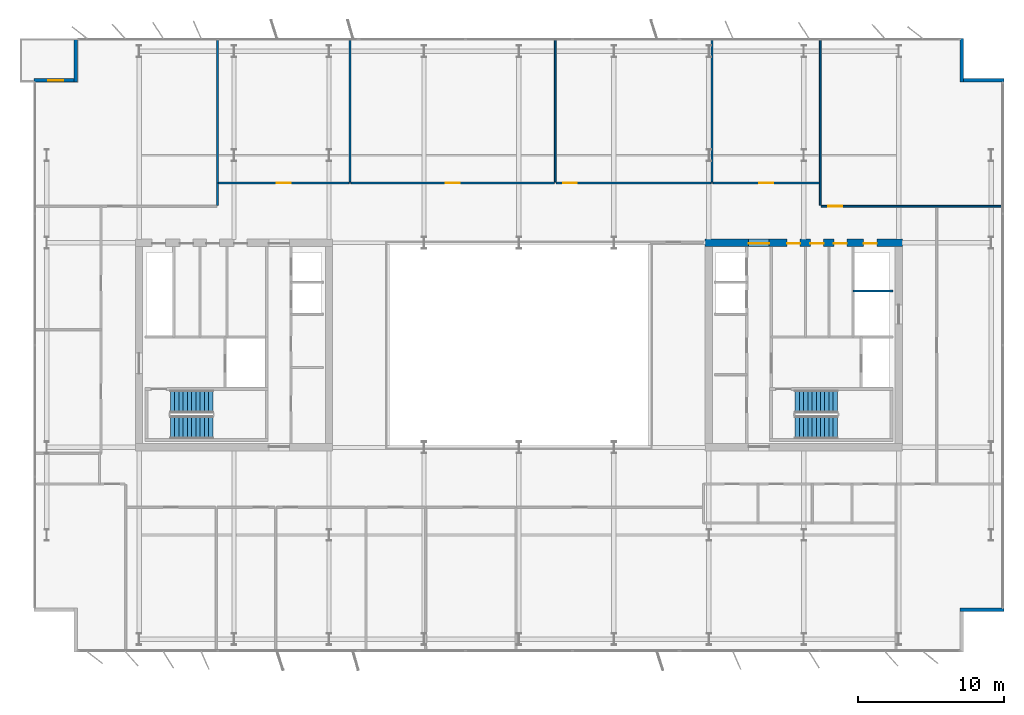
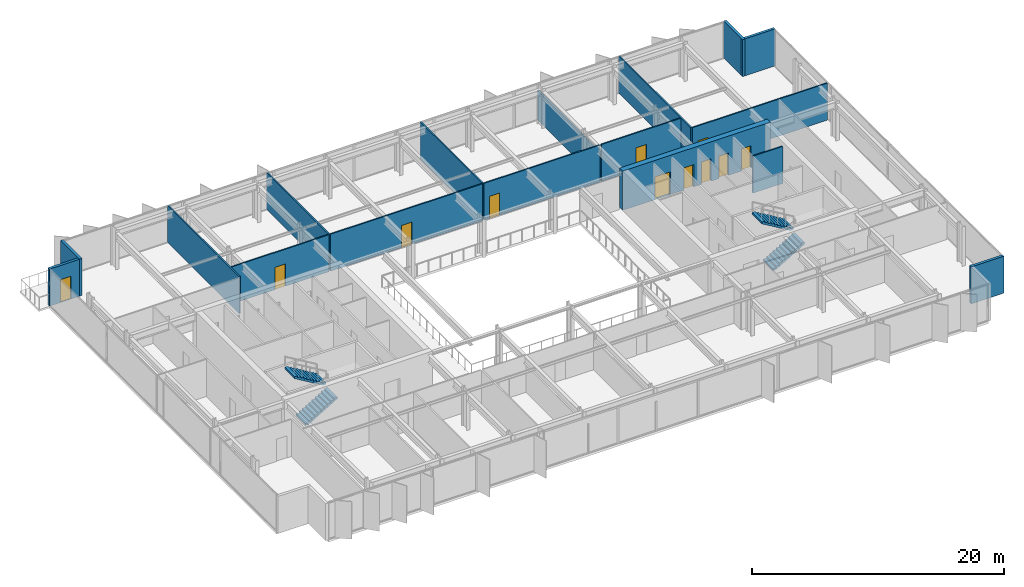
# One storey, part 19 of 23: 17 walls, 11 doors, 4 stair flights, 11 openings, 2 elements without a shape of their own.
"""IFC4 building model written with IfcOpenShell, lengths in metres."""

import ifcopenshell
import ifcopenshell.guid

model = None  # the IFC model being written
_history = None  # IfcOwnerHistory: only IFC2X3 demands one
_inside = {}  # id of a spatial element -> (the spatial element, [elements in it])
_under = {}  # id of a project, library or spatial element -> (it, [spatial elements below it])
_declared = {}  # id of a project -> (the project, [libraries it declares])
_typed = {}  # id of a type object -> (the type object, [elements of that type])
_made_of = {}  # id of a material, layer set ... -> (it, [elements and type objects made of it])


def new_model(schema):
    """Start an empty IFC model of exactly this schema.

    Asked for "IFC4X3", IfcOpenShell would pick the latest addendum, in which some entities
    have other attributes; the version numbers below select the first issue.
    IFC2X3 requires an IfcOwnerHistory on every rooted entity: one is made here for all.
    """
    global model, _history
    if schema == "IFC4X3":
        model = ifcopenshell.file(schema_version=(4, 3, 0, 0))
    else:
        model = ifcopenshell.file(schema=schema)
    _inside.clear()
    _under.clear()
    _declared.clear()
    _typed.clear()
    _made_of.clear()
    _history = None
    if model.schema == "IFC2X3":
        org = make("IfcOrganization", Name="unknown")
        user = make(
            "IfcPersonAndOrganization",
            ThePerson=make("IfcPerson", FamilyName="unknown"),
            TheOrganization=org,
        )
        app = make(
            "IfcApplication",
            ApplicationDeveloper=org,
            Version="unknown",
            ApplicationFullName="unknown",
            ApplicationIdentifier="unknown",
        )
        _history = make(
            "IfcOwnerHistory",
            OwningUser=user,
            OwningApplication=app,
            ChangeAction="ADDED",
            CreationDate=0,
        )
    return model


def make(cls, **values):
    """One entity of the class cls with the attributes given. An attribute that is None is left unset."""
    return model.create_entity(
        cls, **{name: value for name, value in values.items() if value is not None}
    )


def rooted(cls, **values):
    """An entity with a GlobalId (a new one), such as an element, a storey or a relation."""
    return make(cls, GlobalId=ifcopenshell.guid.new(), OwnerHistory=_history, **values)


def si_unit(unit_type, name, prefix=None):
    """IfcSIUnit, for example si_unit("LENGTHUNIT", "METRE", prefix="MILLI")."""
    return make("IfcSIUnit", UnitType=unit_type, Prefix=prefix, Name=name)


def assignment(units):
    """IfcUnitAssignment: the units of a project."""
    return None if units is None else make("IfcUnitAssignment", Units=units)


def point(xyz):
    """IfcCartesianPoint."""
    return None if xyz is None else make("IfcCartesianPoint", Coordinates=xyz)


def direction(xyz):
    """IfcDirection."""
    return None if xyz is None else make("IfcDirection", DirectionRatios=xyz)


def frame(location, z_axis=None, x_axis=None):
    """IfcAxis2Placement3D, a coordinate frame: its origin and axes. An axis left out is left unset."""
    return make(
        "IfcAxis2Placement3D",
        Location=point(location),
        Axis=direction(z_axis),
        RefDirection=direction(x_axis),
    )


def frame_2d(location, x_axis=None):
    """IfcAxis2Placement2D, a coordinate frame in the plane: its origin and x axis."""
    return make(
        "IfcAxis2Placement2D", Location=point(location), RefDirection=direction(x_axis)
    )


def origin():
    """The frame at (0, 0, 0) with its axes left unset."""
    return frame((0.0, 0.0, 0.0))


def place(relative_to, where):
    """IfcLocalPlacement: puts the frame where relative to a parent placement (None: the world)."""
    return make(
        "IfcLocalPlacement", PlacementRelTo=relative_to, RelativePlacement=where
    )


def context(
    kind, dimensions, precision=None, world=None, true_north=None, identifier=None
):
    """IfcGeometricRepresentationContext, for example the 3D "Model" context."""
    return make(
        "IfcGeometricRepresentationContext",
        ContextIdentifier=identifier,
        ContextType=kind,
        CoordinateSpaceDimension=dimensions,
        Precision=precision,
        WorldCoordinateSystem=world,
        TrueNorth=true_north,
    )


def subcontext(parent, identifier, kind, view, scale=None):
    """IfcGeometricRepresentationSubContext, for example "Body" below "Model"."""
    return make(
        "IfcGeometricRepresentationSubContext",
        ContextIdentifier=identifier,
        ContextType=kind,
        ParentContext=parent,
        TargetScale=scale,
        TargetView=view,
    )


def project(units=None, contexts=None):
    """IfcProject with its units and contexts."""
    return rooted(
        "IfcProject",
        Name="project",
        RepresentationContexts=contexts,
        UnitsInContext=assignment(units),
    )


def spatial(cls, under=None, at=None, **own):
    """A site, building, storey or space (cls), placed at a placement, below another one or the project."""
    s = rooted(cls, ObjectPlacement=at, **own)
    if under is not None:
        _under.setdefault(under.id(), (under, []))[1].append(s)
    return s


def polyline(points):
    """IfcPolyline through the points."""
    return make("IfcPolyline", Points=[point(p) for p in points])


def profile(cls, at=None, kind="AREA", **sizes):
    """A parametric profile (cls). Its sizes go by their IFC names, for example OverallWidth=200.0."""
    return make(cls, ProfileType=kind, Position=at, **sizes)


def rectangle(**sizes):
    """IfcRectangleProfileDef."""
    return profile("IfcRectangleProfileDef", **sizes)


def outline(outer, holes=None, kind="AREA"):
    """IfcArbitraryClosedProfileDef: a profile drawn as a closed curve; with holes, ...WithVoids."""
    if holes is None:
        return make("IfcArbitraryClosedProfileDef", ProfileType=kind, OuterCurve=outer)
    return make(
        "IfcArbitraryProfileDefWithVoids",
        ProfileType=kind,
        OuterCurve=outer,
        InnerCurves=holes,
    )


def extrude(swept, where, along, depth):
    """IfcExtrudedAreaSolid: the profile swept, set in the frame where, extruded along a direction by depth."""
    return make(
        "IfcExtrudedAreaSolid",
        SweptArea=swept,
        Position=where,
        ExtrudedDirection=direction(along),
        Depth=depth,
    )


def shape(context_of_items, identifier, shape_type, items):
    """IfcShapeRepresentation: the items that make up one representation, for example the "Body"."""
    return make(
        "IfcShapeRepresentation",
        ContextOfItems=context_of_items,
        RepresentationIdentifier=identifier,
        RepresentationType=shape_type,
        Items=items,
    )


def material(Name=None, Category=None):
    """IfcMaterial."""
    return make("IfcMaterial", Name=Name, Category=Category)


def layer(
    of_material, thickness, ventilated=None, Name=None, Category=None, Priority=None
):
    """IfcMaterialLayer: one layer of a wall or slab, of a material (None: an air gap)."""
    return make(
        "IfcMaterialLayer",
        Material=of_material,
        LayerThickness=thickness,
        IsVentilated=ventilated,
        Name=Name,
        Category=Category,
        Priority=Priority,
    )


def layer_set(layers, Name=None):
    """IfcMaterialLayerSet."""
    return make("IfcMaterialLayerSet", MaterialLayers=layers, LayerSetName=Name)


def made_of(thing, what):
    """Note that an element or type object is made of a material, layer set ...; save() writes the relation."""
    if what is not None:
        _made_of.setdefault(what.id(), (what, []))[1].append(thing)
    return thing


def type_object(cls, material=None, **own):
    """A type object (cls), such as IfcWallType, which elements share."""
    return made_of(rooted(cls, **own), material)


def element(
    cls,
    number,
    at=None,
    inside=None,
    cuts=None,
    type_object=None,
    material=None,
    context=None,
    identifier="Body",
    shape_type=None,
    held_by="IfcProductDefinitionShape",
    body=None,
    shapes=None,
    **own,
):
    """One element of the class cls, such as IfcWall. Its Tag is "e" and its number.

    at: its placement. inside: the storey or other place that contains it. cuts: it is an
    opening in that element (IfcRelVoidsElement). A single representation is given by context,
    identifier, shape_type and body (its items); several are given by shapes. held_by: the class
    of the entity that holds the representations. save() writes the other relations.
    """
    e = rooted(cls, Tag="e%d" % number, ObjectPlacement=at, **own)
    if body is not None:
        shapes = [shape(context, identifier, shape_type, body)]
    if shapes is not None:
        e.Representation = make(held_by, Representations=shapes)
    if inside is not None:
        _inside.setdefault(inside.id(), (inside, []))[1].append(e)
    if cuts is not None:
        rooted(
            "IfcRelVoidsElement", RelatingBuildingElement=cuts, RelatedOpeningElement=e
        )
    if type_object is not None:
        _typed.setdefault(type_object.id(), (type_object, []))[1].append(e)
    return made_of(e, material)


def fill(opening, filler):
    """IfcRelFillsElement: the door or window that sits in an opening."""
    return rooted(
        "IfcRelFillsElement",
        RelatingOpeningElement=opening,
        RelatedBuildingElement=filler,
    )


def aggregate(whole, parts):
    """IfcRelAggregates: a whole, such as a stair, and the parts it consists of."""
    return rooted("IfcRelAggregates", RelatingObject=whole, RelatedObjects=parts)


def save(model, path):
    """Write the relations noted so far, then the file.

    IfcRelAggregates (storeys below a building ...), IfcRelContainedInSpatialStructure (elements
    in a storey), IfcRelDefinesByType, IfcRelAssociatesMaterial and IfcRelDeclares: one each for
    every whole, place, type object, material and project.
    """
    for whole, parts in _under.values():
        aggregate(whole, parts)
    for where, things in _inside.values():
        rooted(
            "IfcRelContainedInSpatialStructure",
            RelatedElements=things,
            RelatingStructure=where,
        )
    for kind, things in _typed.values():
        rooted("IfcRelDefinesByType", RelatedObjects=things, RelatingType=kind)
    for what, things in _made_of.values():
        rooted("IfcRelAssociatesMaterial", RelatedObjects=things, RelatingMaterial=what)
    for by, libraries in _declared.values():
        rooted("IfcRelDeclares", RelatingContext=by, RelatedDefinitions=libraries)
    model.write(path)


model = new_model("IFC4")

# Units and contexts
model_context = context("Model", 3, precision=1e-05, world=origin(), true_north=direction((0.0, 1.0)))
body_context = subcontext(model_context, "Body", "Model", "MODEL_VIEW")
ifc_project = project(units=[si_unit("LENGTHUNIT", "METRE"), si_unit("AREAUNIT", "SQUARE_METRE"), si_unit("VOLUMEUNIT", "CUBIC_METRE"), si_unit("PLANEANGLEUNIT", "RADIAN"), si_unit("MASSUNIT", "GRAM", prefix="KILO")], contexts=[model_context])

# Site, building, storey
site_placement = place(None, origin())
site = spatial("IfcSite", under=ifc_project, at=site_placement, CompositionType="ELEMENT")
building_placement = place(site_placement, origin())
building = spatial("IfcBuilding", under=site, at=building_placement, Name="Putna Gate Headquarters", CompositionType="ELEMENT")
storey_placement = place(building_placement, frame((0.0, 0.0, 221.39990234375)))
storey = spatial("IfcBuildingStorey", under=building, at=storey_placement, Name="L55", CompositionType="ELEMENT", Elevation=221.39990234375)

# Wall, openings, doors
ifc_material_1 = material(Name="Concrete C50/60", Category="concrete")
ifc_layer_1 = layer(ifc_material_1, 0.5)
ifc_layer_set_1 = layer_set([ifc_layer_1], Name="Concrete C50/60")
wall_type_1 = type_object("IfcWallType", Name="WALL-CORE-500", PredefinedType="SHEAR", material=ifc_layer_set_1)
wall_1_placement = place(storey_placement, frame((51.75, 33.0, 0.0), z_axis=(0.0, 0.0, 1.0), x_axis=(1.0, 0.0, 0.0)))
wall_1 = element("IfcWall", 1, at=wall_1_placement, inside=storey, type_object=wall_type_1, Name="L55 EC Split Core Shear Wall N", PredefinedType="SHEAR", context=body_context, shape_type="SweptSolid", body=[
    extrude(rectangle(XDim=13.5, YDim=0.5, at=frame_2d((6.75, 0.0))), origin(), (0.0, 0.0, 1.0), 3.800048828125),
])
opening_1_placement = place(wall_1_placement, frame((2.969970703125, 0.0, 0.0)))
opening_1 = element("IfcOpeningElement", 2, at=opening_1_placement, cuts=wall_1, Name="Opening FDD-140", PredefinedType="OPENING", context=body_context, shape_type="SweptSolid", body=[
    extrude(rectangle(XDim=1.39990234375, YDim=2.199951171875, at=frame_2d((0.699951171875, 1.10009765625))), frame((0.0, 0.260009765625, 0.0), z_axis=(0.0, -1.0, 0.0), x_axis=(1.0, 0.0, 0.0)), (0.0, 0.0, 1.0), 0.52001953125),
])
opening_2_placement = place(wall_1_placement, frame((10.85009765625, 0.0, 0.0)))
opening_2 = element("IfcOpeningElement", 3, at=opening_2_placement, cuts=wall_1, Name="Opening RD-90", PredefinedType="OPENING", context=body_context, shape_type="SweptSolid", body=[
    extrude(rectangle(XDim=0.89990234375, YDim=2.14990234375, at=frame_2d((0.449951171875, 1.074951171875))), frame((0.0, 0.260009765625, 0.0), z_axis=(0.0, -1.0, 0.0), x_axis=(1.0, 0.0, 0.0)), (0.0, 0.0, 1.0), 0.52001953125),
])
opening_3_placement = place(wall_1_placement, frame((5.60009765625, 0.0, 0.0)))
opening_3 = element("IfcOpeningElement", 4, at=opening_3_placement, cuts=wall_1, Name="Opening IDS-90", PredefinedType="OPENING", context=body_context, shape_type="SweptSolid", body=[
    extrude(rectangle(XDim=0.89990234375, YDim=2.14990234375, at=frame_2d((0.449951171875, 1.074951171875))), frame((0.0, 0.260009765625, 0.0), z_axis=(0.0, -1.0, 0.0), x_axis=(1.0, 0.0, 0.0)), (0.0, 0.0, 1.0), 0.52001953125),
])
opening_4_placement = place(wall_1_placement, frame((7.199951171875, 0.0, 0.0)))
opening_4 = element("IfcOpeningElement", 5, at=opening_4_placement, cuts=wall_1, Name="Opening IDS-90", PredefinedType="OPENING", context=body_context, shape_type="SweptSolid", body=[
    extrude(rectangle(XDim=0.89990234375, YDim=2.14990234375, at=frame_2d((0.449951171875, 1.074951171875))), frame((0.0, 0.260009765625, 0.0), z_axis=(0.0, -1.0, 0.0), x_axis=(1.0, 0.0, 0.0)), (0.0, 0.0, 1.0), 0.52001953125),
])
opening_5_placement = place(wall_1_placement, frame((8.800048828125, 0.0, 0.0)))
opening_5 = element("IfcOpeningElement", 6, at=opening_5_placement, cuts=wall_1, Name="Opening IDS-90", PredefinedType="OPENING", context=body_context, shape_type="SweptSolid", body=[
    extrude(rectangle(XDim=0.89990234375, YDim=2.14990234375, at=frame_2d((0.449951171875, 1.074951171875))), frame((0.0, 0.260009765625, 0.0), z_axis=(0.0, -1.0, 0.0), x_axis=(1.0, 0.0, 0.0)), (0.0, 0.0, 1.0), 0.52001953125),
])
ifc_material_2 = material(Name="Double steel fire door", Category="steel")
door_type_1 = type_object("IfcDoorType", Name="DOOR-FIRE-DBL-1400", OperationType="DOUBLE_DOOR_SINGLE_SWING", PredefinedType="DOOR", material=ifc_material_2)
door_1_placement = place(opening_1_placement, origin())
door_1 = element("IfcDoor", 7, at=door_1_placement, inside=storey, type_object=door_type_1, Name="L55 East Lift Lobby North Door", OperationType="DOUBLE_DOOR_SINGLE_SWING", OverallHeight=2.199951171875, OverallWidth=1.39990234375, PredefinedType="DOOR", context=body_context, shape_type="SweptSolid", body=[
    extrude(rectangle(XDim=1.39990234375, YDim=2.199951171875, at=frame_2d((0.699951171875, 1.10009765625))), frame((0.0, -0.02490234375, 0.0), z_axis=(0.0, -1.0, 0.0), x_axis=(1.0, 0.0, 0.0)), (0.0, 0.0, 1.0), 0.050048828125),
])
fill(opening_1, door_1)
ifc_material_3 = material(Name="Fire-rated utility door")
door_type_2 = type_object("IfcDoorType", Name="DOOR-INT-900", OperationType="NOTDEFINED", PredefinedType="DOOR", material=ifc_material_3)
door_2_placement = place(opening_3_placement, origin())
door_2 = element("IfcDoor", 8, at=door_2_placement, inside=storey, type_object=door_type_2, Name="L55 East Cleaner Store Door", OperationType="SINGLE_SWING_RIGHT", OverallHeight=2.14990234375, OverallWidth=0.89990234375, PredefinedType="DOOR", context=body_context, shape_type="SweptSolid", body=[
    extrude(rectangle(XDim=0.89990234375, YDim=2.14990234375, at=frame_2d((0.449951171875, 1.074951171875))), frame((0.0, -0.02490234375, 0.0), z_axis=(0.0, -1.0, 0.0), x_axis=(1.0, 0.0, 0.0)), (0.0, 0.0, 1.0), 0.050048828125),
])
fill(opening_3, door_2)
door_3_placement = place(opening_4_placement, origin())
door_3 = element("IfcDoor", 9, at=door_3_placement, inside=storey, type_object=door_type_2, Name="L55 BMS Outstation Door", OperationType="SINGLE_SWING_LEFT", OverallHeight=2.14990234375, OverallWidth=0.89990234375, PredefinedType="DOOR", context=body_context, shape_type="SweptSolid", body=[
    extrude(rectangle(XDim=0.89990234375, YDim=2.14990234375, at=frame_2d((0.449951171875, 1.074951171875))), frame((0.0, -0.02490234375, 0.0), z_axis=(0.0, -1.0, 0.0), x_axis=(1.0, 0.0, 0.0)), (0.0, 0.0, 1.0), 0.050048828125),
])
fill(opening_4, door_3)
door_4_placement = place(opening_5_placement, origin())
door_4 = element("IfcDoor", 10, at=door_4_placement, inside=storey, type_object=door_type_2, Name="L55 Facilities Equipment Store Door", OperationType="SINGLE_SWING_RIGHT", OverallHeight=2.14990234375, OverallWidth=0.89990234375, PredefinedType="DOOR", context=body_context, shape_type="SweptSolid", body=[
    extrude(rectangle(XDim=0.89990234375, YDim=2.14990234375, at=frame_2d((0.449951171875, 1.074951171875))), frame((0.0, -0.02490234375, 0.0), z_axis=(0.0, -1.0, 0.0), x_axis=(1.0, 0.0, 0.0)), (0.0, 0.0, 1.0), 0.050048828125),
])
fill(opening_5, door_4)
ifc_material_4 = material(Name="Steel riser access fire door", Category="steel")
door_type_3 = type_object("IfcDoorType", Name="DOOR-RISER-900", OperationType="NOTDEFINED", PredefinedType="DOOR", material=ifc_material_4)
door_5_placement = place(opening_2_placement, origin())
door_5 = element("IfcDoor", 11, at=door_5_placement, inside=storey, type_object=door_type_3, Name="L55 East Riser Access Door", OperationType="SINGLE_SWING_LEFT", OverallHeight=2.14990234375, OverallWidth=0.89990234375, PredefinedType="DOOR", context=body_context, shape_type="SweptSolid", body=[
    extrude(rectangle(XDim=0.89990234375, YDim=2.14990234375, at=frame_2d((0.449951171875, 1.074951171875))), frame((0.0, -0.02490234375, 0.0), z_axis=(0.0, -1.0, 0.0), x_axis=(1.0, 0.0, 0.0)), (0.0, 0.0, 1.0), 0.050048828125),
])
fill(opening_2, door_5)

# Wall
ifc_material_5 = material(Name="Precast concrete C40/50", Category="concrete")
ifc_layer_2 = layer(ifc_material_5, 0.239990234375)
ifc_layer_set_2 = layer_set([ifc_layer_2], Name="Precast concrete C40/50")
wall_type_2 = type_object("IfcWallType", Name="WALL-EXT-TERR-240", PredefinedType="STANDARD", material=ifc_layer_set_2)
wall_2_placement = place(storey_placement, frame((8.679931640625, 44.0, 0.0), z_axis=(0.0, 0.0, 1.0), x_axis=(0.0, 1.0, 0.0)))
element("IfcWall", 12, at=wall_2_placement, inside=storey, type_object=wall_type_2, Name="L55 Corner Notch Return Wall NW-V", PredefinedType="STANDARD", context=body_context, shape_type="SweptSolid", body=[
    extrude(rectangle(XDim=3.0, YDim=0.239990234375, at=frame_2d((1.5, 0.0))), origin(), (0.0, 0.0, 1.0), 3.580078125),
])

# Wall, opening, door
wall_3_placement = place(storey_placement, frame((5.800048828125, 44.1201171875, 0.0), z_axis=(0.0, 0.0, 1.0), x_axis=(1.0, 0.0, 0.0)))
wall_3 = element("IfcWall", 13, at=wall_3_placement, inside=storey, type_object=wall_type_2, Name="L55 Corner Notch Return Wall NW-H", PredefinedType="STANDARD", context=body_context, shape_type="SweptSolid", body=[
    extrude(rectangle(XDim=3.0, YDim=0.239990234375, at=frame_2d((1.5, 0.0))), origin(), (0.0, 0.0, 1.0), 3.580078125),
])
opening_6_placement = place(wall_3_placement, frame((1.0, 0.0, 0.0)))
opening_6 = element("IfcOpeningElement", 14, at=opening_6_placement, cuts=wall_3, Name="Opening TRD-1", PredefinedType="OPENING", context=body_context, shape_type="SweptSolid", body=[
    extrude(rectangle(XDim=1.0, YDim=2.199951171875, at=frame_2d((0.5, 1.10009765625))), frame((0.0, 0.1298828125, 0.0), z_axis=(0.0, -1.0, 0.0), x_axis=(1.0, 0.0, 0.0)), (0.0, 0.0, 1.0), 0.260009765625),
])
ifc_material_6 = material(Name="Thermally broken bronze glazed terrace door")
door_type_4 = type_object("IfcDoorType", Name="DOOR-TERR-EXT-1000", OperationType="NOTDEFINED", PredefinedType="DOOR", material=ifc_material_6)
door_6_placement = place(opening_6_placement, origin())
door_6 = element("IfcDoor", 15, at=door_6_placement, inside=storey, type_object=door_type_4, Name="L55 Spiral Sky Terrace Door NW", OperationType="SINGLE_SWING_RIGHT", OverallHeight=2.199951171875, OverallWidth=1.0, PredefinedType="DOOR", context=body_context, shape_type="SweptSolid", body=[
    extrude(rectangle(XDim=1.0, YDim=2.199951171875, at=frame_2d((0.5, 1.10009765625))), frame((0.0, 0.02490234375, 0.0), z_axis=(0.0, -1.0, 0.0), x_axis=(1.0, 0.0, 0.0)), (0.0, 0.0, 1.0), 0.050048828125),
])
fill(opening_6, door_6)

# Walls
for number, where, z_axis, x_axis, name in (
    (16, (69.320068359375, 47.0, 0.0), (0.0, 0.0, 1.0), (0.0, -1.0, 0.0), "L55 Corner Notch Return Wall NE-V"),
    (17, (69.199951171875, 44.1201171875, 0.0), (0.0, 0.0, 1.0), (1.0, 0.0, 0.0), "L55 Corner Notch Return Wall NE-H"),
    (18, (72.199951171875, 7.8798828125, 0.0), (0.0, 0.0, 1.0), (-1.0, 0.0, 0.0), "L55 Corner Notch Return Wall SE-H"),
):
    element("IfcWall", number, at=place(storey_placement, frame(where, z_axis=z_axis, x_axis=x_axis)), inside=storey, type_object=wall_type_2, Name=name, PredefinedType="STANDARD", context=body_context, shape_type="SweptSolid", body=[
        extrude(rectangle(XDim=3.0, YDim=0.239990234375, at=frame_2d((1.5, 0.0))), origin(), (0.0, 0.0, 1.0), 3.580078125),
    ])
ifc_material_7 = material(Name="Acoustic gypsum board on metal stud")
ifc_layer_3 = layer(ifc_material_7, 0.1201171875)
ifc_layer_set_3 = layer_set([ifc_layer_3], Name="Acoustic gypsum board on metal stud")
wall_type_3 = type_object("IfcWallType", Name="WALL-PART-120", PredefinedType="PARTITIONING", material=ifc_layer_set_3)
wall_4_placement = place(storey_placement, frame((18.369140625, 35.56005859375, 0.0), z_axis=(0.0, 0.0, 1.0), x_axis=(0.0, 1.0, 0.0)))
element("IfcWall", 19, at=wall_4_placement, inside=storey, type_object=wall_type_3, Name="L55 Interior Wall PART-L55-NB-DIV-01", PredefinedType="PARTITIONING", context=body_context, shape_type="SweptSolid", body=[
    extrude(rectangle(XDim=11.419921875, YDim=0.1201171875, at=frame_2d((5.7099609375, 0.0))), origin(), (0.0, 0.0, 1.0), 3.580078125),
])
for number, where, z_axis, x_axis, name in (
    (20, (27.443115234375, 37.159912109375, 0.0), (0.0, 0.0, 1.0), (0.0, 1.0, 0.0), "L55 Interior Wall PART-L55-NB-DIV-02"),
    (21, (41.483154296875, 37.159912109375, 0.0), (0.0, 0.0, 1.0), (0.0, 1.0, 0.0), "L55 Interior Wall PART-L55-NB-DIV-03"),
):
    element("IfcWall", number, at=place(storey_placement, frame(where, z_axis=z_axis, x_axis=x_axis)), inside=storey, type_object=wall_type_3, Name=name, PredefinedType="PARTITIONING", context=body_context, shape_type="SweptSolid", body=[
        extrude(rectangle(XDim=9.820068359375, YDim=0.1201171875, at=frame_2d((4.91015625, 0.0))), origin(), (0.0, 0.0, 1.0), 3.580078125),
    ])
wall_5_placement = place(storey_placement, frame((52.214599609375, 37.159912109375, 0.0), z_axis=(0.0, 0.0, 1.0), x_axis=(0.0, 1.0, 0.0)))
element("IfcWall", 22, at=wall_5_placement, inside=storey, type_object=wall_type_3, Name="L55 Interior Wall PART-L55-NB-DIV-04", PredefinedType="PARTITIONING", context=body_context, shape_type="SweptSolid", body=[
    extrude(rectangle(XDim=9.820068359375, YDim=0.1201171875, at=frame_2d((4.91015625, 0.0))), origin(), (0.0, 0.0, 1.0), 2.880126953125),
])
wall_6_placement = place(storey_placement, frame((59.630859375, 35.56005859375, 0.0), z_axis=(0.0, 0.0, 1.0), x_axis=(0.0, 1.0, 0.0)))
element("IfcWall", 23, at=wall_6_placement, inside=storey, type_object=wall_type_3, Name="L55 Interior Wall PART-L55-NB-DIV-05", PredefinedType="PARTITIONING", context=body_context, shape_type="SweptSolid", body=[
    extrude(rectangle(XDim=11.419921875, YDim=0.1201171875, at=frame_2d((5.7099609375, 0.0))), origin(), (0.0, 0.0, 1.0), 3.580078125),
])
ifc_material_8 = material(Name="Fire-rated shaftwall gypsum board on metal stud")
ifc_layer_4 = layer(ifc_material_8, 0.1201171875)
ifc_layer_set_4 = layer_set([ifc_layer_4], Name="Fire-rated shaftwall gypsum board on metal stud")
wall_type_4 = type_object("IfcWallType", Name="WALL-PART-120-EI120", PredefinedType="PARTITIONING", material=ifc_layer_set_4)
wall_7_placement = place(storey_placement, frame((61.8701171875, 29.699951171875, 0.0), z_axis=(0.0, 0.0, 1.0), x_axis=(1.0, 0.0, 0.0)))
element("IfcWall", 24, at=wall_7_placement, inside=storey, type_object=wall_type_4, Name="L55 Interior Wall CWINT-L55-EC-LF15-N", PredefinedType="PARTITIONING", context=body_context, shape_type="SweptSolid", body=[
    extrude(rectangle(XDim=2.72998046875, YDim=0.1201171875, at=frame_2d((1.364990234375, 0.0))), origin(), (0.0, 0.0, 1.0), 3.580078125),
])

# Wall, opening, door
ifc_material_9 = material(Name="Fire-rated gypsum board on metal stud")
ifc_layer_5 = layer(ifc_material_9, 0.1201171875)
ifc_layer_set_5 = layer_set([ifc_layer_5], Name="Fire-rated gypsum board on metal stud")
wall_type_5 = type_object("IfcWallType", Name="WALL-PART-120-RATED", PredefinedType="PARTITIONING", material=ifc_layer_set_5)
wall_8_placement = place(storey_placement, frame((18.42919921875, 37.10009765625, 0.0), z_axis=(0.0, 0.0, 1.0), x_axis=(1.0, 0.0, 0.0)))
wall_8 = element("IfcWall", 25, at=wall_8_placement, inside=storey, type_object=wall_type_5, Name="L55 Interior Wall PART-L55-NB-CW-02", PredefinedType="PARTITIONING", context=body_context, shape_type="SweptSolid", body=[
    extrude(rectangle(XDim=8.953857421875, YDim=0.1201171875, at=frame_2d((4.47705078125, 0.0))), origin(), (0.0, 0.0, 1.0), 3.580078125),
])
opening_7_placement = place(wall_8_placement, frame((4.001953125, 0.0, 0.0)))
opening_7 = element("IfcOpeningElement", 26, at=opening_7_placement, cuts=wall_8, Name="Opening FD-95", PredefinedType="OPENING", context=body_context, shape_type="SweptSolid", body=[
    extrude(rectangle(XDim=0.949951171875, YDim=2.14990234375, at=frame_2d((0.47509765625, 1.074951171875))), frame((0.0, 0.070068359375, 0.0), z_axis=(0.0, -1.0, 0.0), x_axis=(1.0, 0.0, 0.0)), (0.0, 0.0, 1.0), 0.14013671875),
])
ifc_material_10 = material(Name="Acoustic timber fire door", Category="wood")
door_type_5 = type_object("IfcDoorType", Name="DOOR-FIRE-950", OperationType="NOTDEFINED", PredefinedType="DOOR", material=ifc_material_10)
door_7_placement = place(opening_7_placement, origin())
door_7 = element("IfcDoor", 27, at=door_7_placement, inside=storey, type_object=door_type_5, Name="L55 Cellular Office 1 Door", OperationType="SINGLE_SWING_LEFT", OverallHeight=2.14990234375, OverallWidth=0.949951171875, PredefinedType="DOOR", context=body_context, shape_type="SweptSolid", body=[
    extrude(rectangle(XDim=0.949951171875, YDim=2.14990234375, at=frame_2d((0.47509765625, 1.074951171875))), frame((0.0, 0.02490234375, 0.0), z_axis=(0.0, -1.0, 0.0), x_axis=(1.0, 0.0, 0.0)), (0.0, 0.0, 1.0), 0.050048828125),
])
fill(opening_7, door_7)

wall_9_placement = place(storey_placement, frame((27.5029296875, 37.10009765625, 0.0), z_axis=(0.0, 0.0, 1.0), x_axis=(1.0, 0.0, 0.0)))
wall_9 = element("IfcWall", 28, at=wall_9_placement, inside=storey, type_object=wall_type_5, Name="L55 Interior Wall PART-L55-NB-CW-03", PredefinedType="PARTITIONING", context=body_context, shape_type="SweptSolid", body=[
    extrude(rectangle(XDim=13.920166015625, YDim=0.1201171875, at=frame_2d((6.9599609375, 0.0))), origin(), (0.0, 0.0, 1.0), 3.580078125),
])
opening_8_placement = place(wall_9_placement, frame((6.485107421875, 0.0, 0.0)))
opening_8 = element("IfcOpeningElement", 29, at=opening_8_placement, cuts=wall_9, Name="Opening FD-95", PredefinedType="OPENING", context=body_context, shape_type="SweptSolid", body=[
    extrude(rectangle(XDim=0.949951171875, YDim=2.14990234375, at=frame_2d((0.47509765625, 1.074951171875))), frame((0.0, 0.070068359375, 0.0), z_axis=(0.0, -1.0, 0.0), x_axis=(1.0, 0.0, 0.0)), (0.0, 0.0, 1.0), 0.14013671875),
])
door_8_placement = place(opening_8_placement, origin())
door_8 = element("IfcDoor", 30, at=door_8_placement, inside=storey, type_object=door_type_5, Name="L55 Cellular Office 2 Door", OperationType="SINGLE_SWING_RIGHT", OverallHeight=2.14990234375, OverallWidth=0.949951171875, PredefinedType="DOOR", context=body_context, shape_type="SweptSolid", body=[
    extrude(rectangle(XDim=0.949951171875, YDim=2.14990234375, at=frame_2d((0.47509765625, 1.074951171875))), frame((0.0, 0.02490234375, 0.0), z_axis=(0.0, -1.0, 0.0), x_axis=(1.0, 0.0, 0.0)), (0.0, 0.0, 1.0), 0.050048828125),
])
fill(opening_8, door_8)

wall_10_placement = place(storey_placement, frame((41.543212890625, 37.10009765625, 0.0), z_axis=(0.0, 0.0, 1.0), x_axis=(1.0, 0.0, 0.0)))
wall_10 = element("IfcWall", 31, at=wall_10_placement, inside=storey, type_object=wall_type_5, Name="L55 Interior Wall PART-L55-NB-CW-04", PredefinedType="PARTITIONING", context=body_context, shape_type="SweptSolid", body=[
    extrude(rectangle(XDim=10.611328125, YDim=0.1201171875, at=frame_2d((5.3056640625, 0.0))), origin(), (0.0, 0.0, 1.0), 3.580078125),
])
opening_9_placement = place(wall_10_placement, frame((0.47998046875, 0.0, 0.0)))
opening_9 = element("IfcOpeningElement", 32, at=opening_9_placement, cuts=wall_10, Name="Opening FD-95", PredefinedType="OPENING", context=body_context, shape_type="SweptSolid", body=[
    extrude(rectangle(XDim=0.949951171875, YDim=2.14990234375, at=frame_2d((0.47509765625, 1.074951171875))), frame((0.0, 0.070068359375, 0.0), z_axis=(0.0, -1.0, 0.0), x_axis=(1.0, 0.0, 0.0)), (0.0, 0.0, 1.0), 0.14013671875),
])
door_9_placement = place(opening_9_placement, origin())
door_9 = element("IfcDoor", 33, at=door_9_placement, inside=storey, type_object=door_type_5, Name="L55 Cellular Office 3 Door", OperationType="SINGLE_SWING_LEFT", OverallHeight=2.14990234375, OverallWidth=0.949951171875, PredefinedType="DOOR", context=body_context, shape_type="SweptSolid", body=[
    extrude(rectangle(XDim=0.949951171875, YDim=2.14990234375, at=frame_2d((0.47509765625, 1.074951171875))), frame((0.0, 0.02490234375, 0.0), z_axis=(0.0, -1.0, 0.0), x_axis=(1.0, 0.0, 0.0)), (0.0, 0.0, 1.0), 0.050048828125),
])
fill(opening_9, door_9)

wall_11_placement = place(storey_placement, frame((52.274658203125, 37.10009765625, 0.0), z_axis=(0.0, 0.0, 1.0), x_axis=(1.0, 0.0, 0.0)))
wall_11 = element("IfcWall", 34, at=wall_11_placement, inside=storey, type_object=wall_type_5, Name="L55 Interior Wall PART-L55-NB-CW-05", PredefinedType="PARTITIONING", context=body_context, shape_type="SweptSolid", body=[
    extrude(rectangle(XDim=7.296142578125, YDim=0.1201171875, at=frame_2d((3.64794921875, 0.0))), origin(), (0.0, 0.0, 1.0), 3.580078125),
])
opening_10_placement = place(wall_11_placement, frame((3.173095703125, 0.0, 0.0)))
opening_10 = element("IfcOpeningElement", 35, at=opening_10_placement, cuts=wall_11, Name="Opening FD-95", PredefinedType="OPENING", context=body_context, shape_type="SweptSolid", body=[
    extrude(rectangle(XDim=0.949951171875, YDim=2.14990234375, at=frame_2d((0.47509765625, 1.074951171875))), frame((0.0, 0.070068359375, 0.0), z_axis=(0.0, -1.0, 0.0), x_axis=(1.0, 0.0, 0.0)), (0.0, 0.0, 1.0), 0.14013671875),
])
door_10_placement = place(opening_10_placement, origin())
door_10 = element("IfcDoor", 36, at=door_10_placement, inside=storey, type_object=door_type_5, Name="L55 Cellular Office 4 Door", OperationType="SINGLE_SWING_RIGHT", OverallHeight=2.14990234375, OverallWidth=0.949951171875, PredefinedType="DOOR", context=body_context, shape_type="SweptSolid", body=[
    extrude(rectangle(XDim=0.949951171875, YDim=2.14990234375, at=frame_2d((0.47509765625, 1.074951171875))), frame((0.0, 0.02490234375, 0.0), z_axis=(0.0, -1.0, 0.0), x_axis=(1.0, 0.0, 0.0)), (0.0, 0.0, 1.0), 0.050048828125),
])
fill(opening_10, door_10)

wall_12_placement = place(storey_placement, frame((59.69091796875, 35.5, 0.0), z_axis=(0.0, 0.0, 1.0), x_axis=(1.0, 0.0, 0.0)))
wall_12 = element("IfcWall", 37, at=wall_12_placement, inside=storey, type_object=wall_type_5, Name="L55 Interior Wall PART-L55-NB-CW-06", PredefinedType="PARTITIONING", context=body_context, shape_type="SweptSolid", body=[
    extrude(rectangle(XDim=12.3291015625, YDim=0.1201171875, at=frame_2d((6.16455078125, 0.0))), origin(), (0.0, 0.0, 1.0), 3.580078125),
])
opening_11_placement = place(wall_12_placement, frame((0.47998046875, 0.0, 0.0)))
opening_11 = element("IfcOpeningElement", 38, at=opening_11_placement, cuts=wall_12, Name="Opening FD-95", PredefinedType="OPENING", context=body_context, shape_type="SweptSolid", body=[
    extrude(rectangle(XDim=0.949951171875, YDim=2.14990234375, at=frame_2d((0.47509765625, 1.074951171875))), frame((0.0, 0.070068359375, 0.0), z_axis=(0.0, -1.0, 0.0), x_axis=(1.0, 0.0, 0.0)), (0.0, 0.0, 1.0), 0.14013671875),
])
door_11_placement = place(opening_11_placement, origin())
door_11 = element("IfcDoor", 39, at=door_11_placement, inside=storey, type_object=door_type_5, Name="L55 Quiet Wellness Focus Studio 1 Door", OperationType="SINGLE_SWING_LEFT", OverallHeight=2.14990234375, OverallWidth=0.949951171875, PredefinedType="DOOR", context=body_context, shape_type="SweptSolid", body=[
    extrude(rectangle(XDim=0.949951171875, YDim=2.14990234375, at=frame_2d((0.47509765625, 1.074951171875))), frame((0.0, 0.02490234375, 0.0), z_axis=(0.0, -1.0, 0.0), x_axis=(1.0, 0.0, 0.0)), (0.0, 0.0, 1.0), 0.050048828125),
])
fill(opening_11, door_11)

# Stair, stair flights
ifc_material_11 = material(Name="Concrete C40/50", Category="concrete")
stair_type_1 = type_object("IfcStairType", Name="STAIR-ST1", PredefinedType="HALF_TURN_STAIR", material=ifc_material_11)
stair_1_placement = place(storey_placement, origin())
stair_1 = element("IfcStair", 40, at=stair_1_placement, inside=storey, type_object=stair_type_1, Name="L55 West Core Exit Stair ST1", PredefinedType="HALF_TURN_STAIR")
stair_flight_type_1 = type_object("IfcStairFlightType", Name="FLIGHT-ST1", PredefinedType="STRAIGHT", material=ifc_material_11)
stair_flight_1_placement = place(storey_placement, frame((15.14990234375, 20.375, 0.0), z_axis=(0.0, 0.0, 1.0), x_axis=(1.0, 0.0, 0.0)))
stair_flight_1 = element("IfcStairFlight", 41, at=stair_flight_1_placement, type_object=stair_flight_type_1, Name="ST1 flight 1", NumberOfRisers=11, NumberOfTreads=10, PredefinedType="STRAIGHT", RiserHeight=0.172727273, TreadLength=0.29, context=body_context, shape_type="SweptSolid", body=[
    extrude(outline(polyline([(0.0, 0.0), (0.0, 0.172607421875), (0.2900390625, 0.172607421875), (0.2900390625, 0.345458984375), (0.580078125, 0.345458984375), (0.580078125, 0.51806640625), (0.8701171875, 0.51806640625), (0.8701171875, 0.69091796875), (1.159912109375, 0.69091796875), (1.159912109375, 0.863525390625), (1.449951171875, 0.863525390625), (1.449951171875, 1.036376953125), (1.739990234375, 1.036376953125), (1.739990234375, 1.208984375), (2.030029296875, 1.208984375), (2.030029296875, 1.3818359375), (2.320068359375, 1.3818359375), (2.320068359375, 1.554443359375), (2.610107421875, 1.554443359375), (2.610107421875, 1.727294921875), (2.89990234375, 1.727294921875), (2.89990234375, 1.89990234375), (2.89990234375, 1.552734375), (0.29296875, 0.0), (0.0, 0.0)])), frame((0.0, 0.77490234375, 0.0), z_axis=(0.0, -1.0, 0.0), x_axis=(1.0, 0.0, 0.0)), (0.0, 0.0, 1.0), 1.550048828125),
])
stair_flight_2_placement = place(storey_placement, frame((18.050048828125, 22.125, 1.900146484375), z_axis=(0.0, 0.0, 1.0), x_axis=(-1.0, 0.0, 0.0)))
stair_flight_2 = element("IfcStairFlight", 42, at=stair_flight_2_placement, type_object=stair_flight_type_1, Name="ST1 flight 2", NumberOfRisers=11, NumberOfTreads=10, PredefinedType="STRAIGHT", RiserHeight=0.172727273, TreadLength=0.29, context=body_context, shape_type="SweptSolid", body=[
    extrude(outline(polyline([(0.0, 0.0), (0.0, 0.172607421875), (0.2900390625, 0.172607421875), (0.2900390625, 0.345458984375), (0.580078125, 0.345458984375), (0.580078125, 0.51806640625), (0.8701171875, 0.51806640625), (0.8701171875, 0.69091796875), (1.159912109375, 0.69091796875), (1.159912109375, 0.863525390625), (1.449951171875, 0.863525390625), (1.449951171875, 1.036376953125), (1.739990234375, 1.036376953125), (1.739990234375, 1.208984375), (2.030029296875, 1.208984375), (2.030029296875, 1.3818359375), (2.320068359375, 1.3818359375), (2.320068359375, 1.554443359375), (2.610107421875, 1.554443359375), (2.610107421875, 1.727294921875), (2.89990234375, 1.727294921875), (2.89990234375, 1.89990234375), (2.89990234375, 1.552734375), (0.29296875, 0.0), (0.0, 0.0)])), frame((0.0, 0.77490234375, 0.0), z_axis=(0.0, -1.0, 0.0), x_axis=(1.0, 0.0, 0.0)), (0.0, 0.0, 1.0), 1.550048828125),
])
aggregate(stair_1, [stair_flight_1, stair_flight_2])

stair_type_2 = type_object("IfcStairType", Name="STAIR-ST2", PredefinedType="HALF_TURN_STAIR", material=ifc_material_11)
stair_2_placement = place(storey_placement, origin())
stair_2 = element("IfcStair", 43, at=stair_2_placement, inside=storey, type_object=stair_type_2, Name="L55 East Core Exit Stair ST2", PredefinedType="HALF_TURN_STAIR")
stair_flight_type_2 = type_object("IfcStairFlightType", Name="FLIGHT-ST2", PredefinedType="STRAIGHT", material=ifc_material_11)
stair_flight_3_placement = place(storey_placement, frame((57.89990234375, 20.375, 0.0), z_axis=(0.0, 0.0, 1.0), x_axis=(1.0, 0.0, 0.0)))
stair_flight_3 = element("IfcStairFlight", 44, at=stair_flight_3_placement, type_object=stair_flight_type_2, Name="ST2 flight 1", NumberOfRisers=11, NumberOfTreads=10, PredefinedType="STRAIGHT", RiserHeight=0.172727273, TreadLength=0.29, context=body_context, shape_type="SweptSolid", body=[
    extrude(outline(polyline([(0.0, 0.0), (0.0, 0.172607421875), (0.2900390625, 0.172607421875), (0.2900390625, 0.345458984375), (0.580078125, 0.345458984375), (0.580078125, 0.51806640625), (0.8701171875, 0.51806640625), (0.8701171875, 0.69091796875), (1.159912109375, 0.69091796875), (1.159912109375, 0.863525390625), (1.449951171875, 0.863525390625), (1.449951171875, 1.036376953125), (1.739990234375, 1.036376953125), (1.739990234375, 1.208984375), (2.030029296875, 1.208984375), (2.030029296875, 1.3818359375), (2.320068359375, 1.3818359375), (2.320068359375, 1.554443359375), (2.610107421875, 1.554443359375), (2.610107421875, 1.727294921875), (2.89990234375, 1.727294921875), (2.89990234375, 1.89990234375), (2.89990234375, 1.552734375), (0.29296875, 0.0), (0.0, 0.0)])), frame((0.0, 0.77490234375, 0.0), z_axis=(0.0, -1.0, 0.0), x_axis=(1.0, 0.0, 0.0)), (0.0, 0.0, 1.0), 1.550048828125),
])
stair_flight_4_placement = place(storey_placement, frame((60.800048828125, 22.125, 1.900146484375), z_axis=(0.0, 0.0, 1.0), x_axis=(-1.0, 0.0, 0.0)))
stair_flight_4 = element("IfcStairFlight", 45, at=stair_flight_4_placement, type_object=stair_flight_type_2, Name="ST2 flight 2", NumberOfRisers=11, NumberOfTreads=10, PredefinedType="STRAIGHT", RiserHeight=0.172727273, TreadLength=0.29, context=body_context, shape_type="SweptSolid", body=[
    extrude(outline(polyline([(0.0, 0.0), (0.0, 0.172607421875), (0.2900390625, 0.172607421875), (0.2900390625, 0.345458984375), (0.580078125, 0.345458984375), (0.580078125, 0.51806640625), (0.8701171875, 0.51806640625), (0.8701171875, 0.69091796875), (1.159912109375, 0.69091796875), (1.159912109375, 0.863525390625), (1.449951171875, 0.863525390625), (1.449951171875, 1.036376953125), (1.739990234375, 1.036376953125), (1.739990234375, 1.208984375), (2.030029296875, 1.208984375), (2.030029296875, 1.3818359375), (2.320068359375, 1.3818359375), (2.320068359375, 1.554443359375), (2.610107421875, 1.554443359375), (2.610107421875, 1.727294921875), (2.89990234375, 1.727294921875), (2.89990234375, 1.89990234375), (2.89990234375, 1.552734375), (0.29296875, 0.0), (0.0, 0.0)])), frame((0.0, 0.77490234375, 0.0), z_axis=(0.0, -1.0, 0.0), x_axis=(1.0, 0.0, 0.0)), (0.0, 0.0, 1.0), 1.550048828125),
])
aggregate(stair_2, [stair_flight_3, stair_flight_4])

save(model, "model.ifc")
